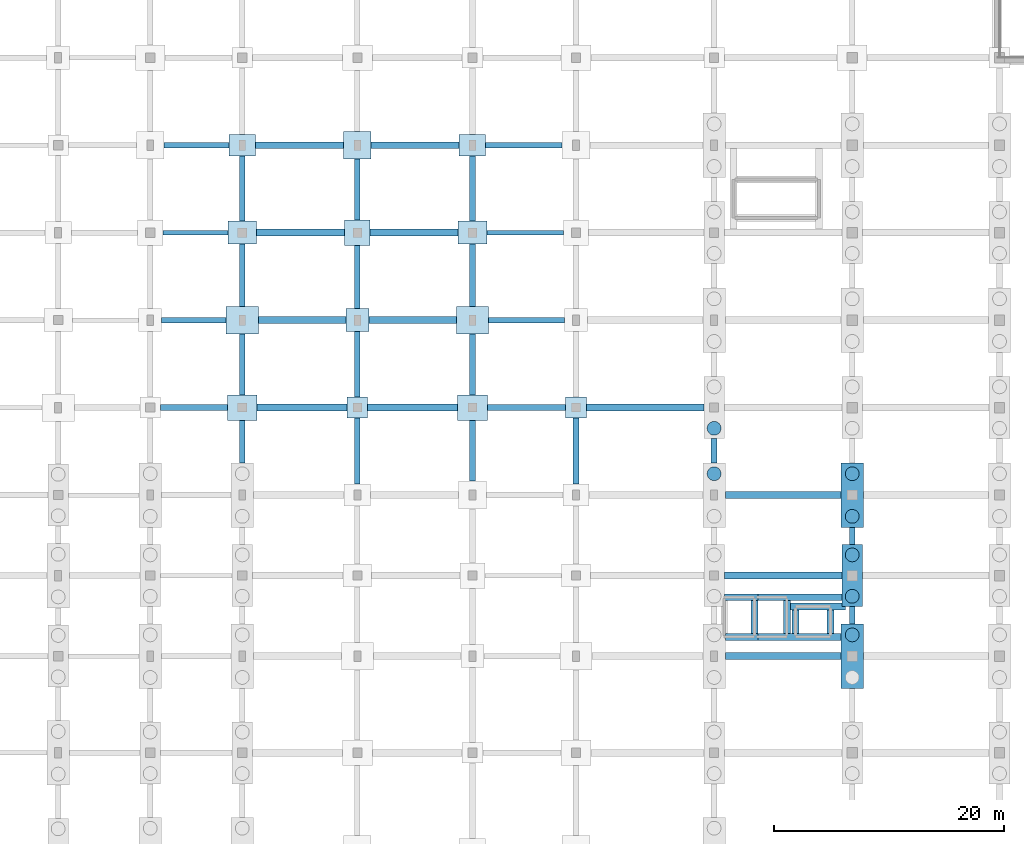
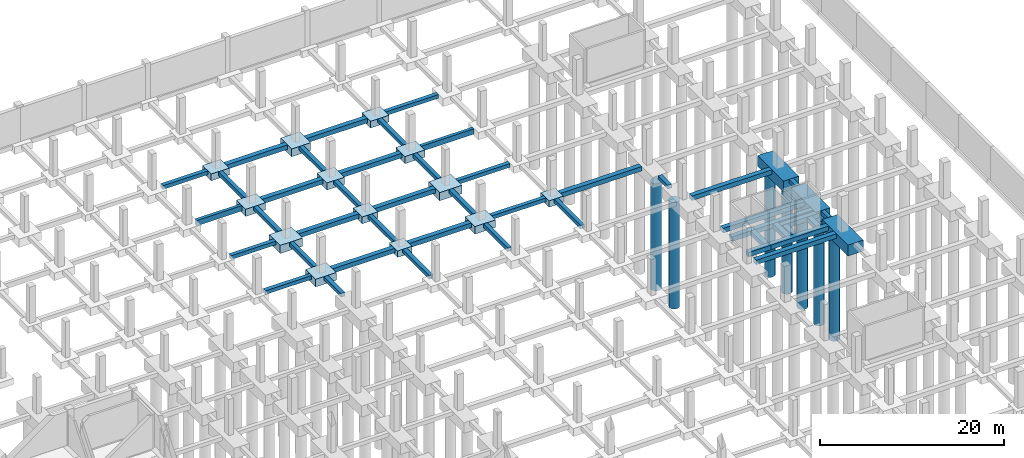
# One storey, part 22 of 50: 61 footings, 7 piles.
"""IFC4 building model written with IfcOpenShell, lengths in metres."""

from ifc_helpers import new_model, si_unit, direction, frame, origin, origin_2d, place, context, subcontext, project, spatial, polyline, rectangle, circle, outline, extrude, material, material_profile, profile_set, type_object, element, save


model = new_model("IFC4")

# Units and contexts
model_context = context("Model", 3, precision=1e-05, world=origin(), true_north=direction((0.0, 1.0)))
body_context = subcontext(model_context, "Body", "Model", "MODEL_VIEW")
ifc_project = project(units=[si_unit("LENGTHUNIT", "METRE"), si_unit("AREAUNIT", "SQUARE_METRE"), si_unit("VOLUMEUNIT", "CUBIC_METRE"), si_unit("PLANEANGLEUNIT", "RADIAN"), si_unit("MASSUNIT", "GRAM", prefix="KILO")], contexts=[model_context])

# Site, building, storey
site_placement = place(None, origin())
site = spatial("IfcSite", under=ifc_project, at=site_placement, CompositionType="ELEMENT")
building_placement = place(site_placement, origin())
building = spatial("IfcBuilding", under=site, at=building_placement, Name="Vekula Escarpment Museum", CompositionType="ELEMENT")
storey_placement = place(building_placement, frame((0.0, 0.0, -4.800048828125)))
storey = spatial("IfcBuildingStorey", under=building, at=storey_placement, Name="B1", CompositionType="ELEMENT", Elevation=-4.800048828125)

# Footings
ifc_material_1 = material(Name="Concrete C35/45", Category="concrete")
footing_type_1 = type_object("IfcFootingType", Name="FB-STRIP-600", PredefinedType="STRIP_FOOTING", material=ifc_material_1)
footing_1_placement = place(storey_placement, frame((0.0, 0.0, -0.599853515625)))
element("IfcFooting", 1, at=footing_1_placement, inside=storey, type_object=footing_type_1, Name="Lift Shaft Strip Footing LF-01 S", PredefinedType="STRIP_FOOTING", context=body_context, shape_type="SweptSolid", body=[
    extrude(outline(polyline([(170.820068359375, 78.3798828125), (170.820068359375, 77.780029296875), (167.97900390625, 77.780029296875), (167.97900390625, 78.3798828125), (170.820068359375, 78.3798828125)])), origin(), (0.0, 0.0, 1.0), 0.599853515625),
])
footing_2_placement = place(storey_placement, frame((0.0, 0.0, -0.599853515625)))
element("IfcFooting", 2, at=footing_2_placement, inside=storey, type_object=footing_type_1, Name="Lift Shaft Strip Footing LF-01 N", PredefinedType="STRIP_FOOTING", context=body_context, shape_type="SweptSolid", body=[
    extrude(outline(polyline([(170.820068359375, 81.820068359375), (170.820068359375, 81.219970703125), (167.904052734375, 81.219970703125), (167.904052734375, 81.820068359375), (170.820068359375, 81.820068359375)])), origin(), (0.0, 0.0, 1.0), 0.599853515625),
])
footing_3_placement = place(storey_placement, frame((0.0, 0.0, -0.599853515625)))
element("IfcFooting", 3, at=footing_3_placement, inside=storey, type_object=footing_type_1, Name="Lift Shaft Strip Footing LF-01 E", PredefinedType="STRIP_FOOTING", context=body_context, shape_type="SweptSolid", body=[
    extrude(outline(polyline([(170.820068359375, 78.384033203125), (170.219970703125, 78.384033203125), (170.219970703125, 81.216064453125), (170.820068359375, 81.216064453125), (170.820068359375, 78.384033203125)])), origin(), (0.0, 0.0, 1.0), 0.599853515625),
])
footing_4_placement = place(storey_placement, frame((0.0, 0.0, -0.599853515625)))
element("IfcFooting", 4, at=footing_4_placement, inside=storey, type_object=footing_type_1, Name="Lift Shaft Strip Footing LF-02 S", PredefinedType="STRIP_FOOTING", context=body_context, shape_type="SweptSolid", body=[
    extrude(outline(polyline([(170.823974609375, 77.780029296875), (170.823974609375, 78.3798828125), (178.02099609375, 78.3798828125), (178.02099609375, 77.780029296875), (170.823974609375, 77.780029296875)])), origin(), (0.0, 0.0, 1.0), 0.599853515625),
])
footing_5_placement = place(storey_placement, frame((0.0, 0.0, -0.599853515625)))
element("IfcFooting", 5, at=footing_5_placement, inside=storey, type_object=footing_type_1, Name="Lift Shaft Strip Footing LF-02 N", PredefinedType="STRIP_FOOTING", context=body_context, shape_type="SweptSolid", body=[
    extrude(outline(polyline([(170.823974609375, 81.219970703125), (170.823974609375, 81.820068359375), (178.095947265625, 81.820068359375), (178.095947265625, 81.219970703125), (170.823974609375, 81.219970703125)])), origin(), (0.0, 0.0, 1.0), 0.599853515625),
])
footing_6_placement = place(storey_placement, frame((0.0, 0.0, -0.599853515625)))
element("IfcFooting", 6, at=footing_6_placement, inside=storey, type_object=footing_type_1, Name="Lift Shaft Strip Footing LF-02 E", PredefinedType="STRIP_FOOTING", context=body_context, shape_type="SweptSolid", body=[
    extrude(outline(polyline([(173.6201171875, 78.384033203125), (173.02001953125, 78.384033203125), (173.02001953125, 81.216064453125), (173.6201171875, 81.216064453125), (173.6201171875, 78.384033203125)])), origin(), (0.0, 0.0, 1.0), 0.599853515625),
])
footing_7_placement = place(storey_placement, frame((0.0, 0.0, -0.599853515625)))
element("IfcFooting", 7, at=footing_7_placement, inside=storey, type_object=footing_type_1, Name="Lift Shaft Strip Footing LP-03 N", PredefinedType="STRIP_FOOTING", context=body_context, shape_type="SweptSolid", body=[
    extrude(outline(polyline([(178.416015625, 80.419921875), (173.6240234375, 80.419921875), (173.6240234375, 81.02001953125), (178.095947265625, 81.02001953125), (178.095947265625, 80.696044921875), (178.416015625, 80.696044921875), (178.416015625, 80.419921875)])), origin(), (0.0, 0.0, 1.0), 0.599853515625),
])
footing_8_placement = place(storey_placement, frame((0.0, 0.0, -0.599853515625)))
element("IfcFooting", 8, at=footing_8_placement, inside=storey, type_object=footing_type_1, Name="Lift Shaft Strip Footing LP-03 W", PredefinedType="STRIP_FOOTING", context=body_context, shape_type="SweptSolid", body=[
    extrude(outline(polyline([(174.3798828125, 78.384033203125), (173.780029296875, 78.384033203125), (173.780029296875, 80.416015625), (174.3798828125, 80.416015625), (174.3798828125, 78.384033203125)])), origin(), (0.0, 0.0, 1.0), 0.599853515625),
])
footing_9_placement = place(storey_placement, frame((0.0, 0.0, -0.599853515625)))
element("IfcFooting", 9, at=footing_9_placement, inside=storey, type_object=footing_type_1, Name="Lift Shaft Strip Footing LP-03 E", PredefinedType="STRIP_FOOTING", context=body_context, shape_type="SweptSolid", body=[
    extrude(outline(polyline([(177.419921875, 78.384033203125), (176.820068359375, 78.384033203125), (176.820068359375, 80.416015625), (177.419921875, 80.416015625), (177.419921875, 78.384033203125)])), origin(), (0.0, 0.0, 1.0), 0.599853515625),
])
ifc_material_2 = material(Name="Concrete C35/45", Category="concrete")
ifc_material_profile_1 = material_profile(ifc_material_2, rectangle(XDim=0.39990234375, YDim=0.699951171875, at=origin_2d()), Name="RC 400x700")
ifc_profile_set_1 = profile_set([ifc_material_profile_1], Name="Concrete C35/45")
footing_type_2 = type_object("IfcFootingType", Name="FB-TIE-400x700", PredefinedType="FOOTING_BEAM", material=ifc_profile_set_1)
footing_10_placement = place(storey_placement, frame((119.10009765625, 113.199951171875, -0.349853515625), z_axis=(1.0, 0.0, 0.0), x_axis=(0.0, 1.0, 0.0)))
element("IfcFooting", 10, at=footing_10_placement, inside=storey, type_object=footing_type_2, Name="Foundation Tie Beam 327", PredefinedType="FOOTING_BEAM", context=body_context, shape_type="SweptSolid", body=[
    extrude(rectangle(XDim=0.39990234375, YDim=0.699951171875, at=origin_2d()), origin(), (0.0, 0.0, 1.0), 5.64990234375),
])
footing_11_placement = place(storey_placement, frame((147.25, 113.199951171875, -0.349853515625), z_axis=(1.0, 0.0, 0.0), x_axis=(0.0, 1.0, 0.0)))
element("IfcFooting", 11, at=footing_11_placement, inside=storey, type_object=footing_type_2, Name="Foundation Tie Beam 330", PredefinedType="FOOTING_BEAM", context=body_context, shape_type="SweptSolid", body=[
    extrude(rectangle(XDim=0.39990234375, YDim=0.699951171875, at=origin_2d()), origin(), (0.0, 0.0, 1.0), 6.64990234375),
])
ifc_material_3 = material(Name="Concrete C35/45", Category="concrete")
ifc_material_profile_2 = material_profile(ifc_material_3, rectangle(XDim=0.5, YDim=0.5, at=origin_2d()), Name="RC 500x500")
ifc_profile_set_2 = profile_set([ifc_material_profile_2], Name="Concrete C35/45")
footing_type_3 = type_object("IfcFootingType", Name="FB-TIE-500x500", PredefinedType="FOOTING_BEAM", material=ifc_profile_set_2)
footing_12_placement = place(storey_placement, frame((118.89990234375, 98.0, -0.25), z_axis=(1.0, 0.0, 0.0), x_axis=(0.0, 1.0, 0.0)))
element("IfcFooting", 12, at=footing_12_placement, inside=storey, type_object=footing_type_3, Name="Foundation Tie Beam 284", PredefinedType="FOOTING_BEAM", context=body_context, shape_type="SweptSolid", body=[
    extrude(rectangle(XDim=0.5, YDim=0.5, at=origin_2d()), origin(), (0.0, 0.0, 1.0), 5.800048828125),
])
footing_13_placement = place(storey_placement, frame((147.300048828125, 98.0, -0.25), z_axis=(1.0, 0.0, 0.0), x_axis=(0.0, 1.0, 0.0)))
element("IfcFooting", 13, at=footing_13_placement, inside=storey, type_object=footing_type_3, Name="Foundation Tie Beam 287", PredefinedType="FOOTING_BEAM", context=body_context, shape_type="SweptSolid", body=[
    extrude(rectangle(XDim=0.5, YDim=0.5, at=origin_2d()), origin(), (0.0, 0.0, 1.0), 6.800048828125),
])
footing_14_placement = place(storey_placement, frame((119.0, 105.60009765625, -0.25), z_axis=(1.0, 0.0, 0.0), x_axis=(0.0, 1.0, 0.0)))
element("IfcFooting", 14, at=footing_14_placement, inside=storey, type_object=footing_type_3, Name="Foundation Tie Beam 304", PredefinedType="FOOTING_BEAM", context=body_context, shape_type="SweptSolid", body=[
    extrude(rectangle(XDim=0.5, YDim=0.5, at=origin_2d()), origin(), (0.0, 0.0, 1.0), 5.60009765625),
])
footing_15_placement = place(storey_placement, frame((147.39990234375, 105.60009765625, -0.25), z_axis=(1.0, 0.0, 0.0), x_axis=(0.0, 1.0, 0.0)))
element("IfcFooting", 15, at=footing_15_placement, inside=storey, type_object=footing_type_3, Name="Foundation Tie Beam 307", PredefinedType="FOOTING_BEAM", context=body_context, shape_type="SweptSolid", body=[
    extrude(rectangle(XDim=0.5, YDim=0.5, at=origin_2d()), origin(), (0.0, 0.0, 1.0), 6.60009765625),
])
footing_16_placement = place(storey_placement, frame((119.199951171875, 120.800048828125, -0.25), z_axis=(1.0, 0.0, 0.0), x_axis=(0.0, 1.0, 0.0)))
element("IfcFooting", 16, at=footing_16_placement, inside=storey, type_object=footing_type_3, Name="Foundation Tie Beam 350", PredefinedType="FOOTING_BEAM", context=body_context, shape_type="SweptSolid", body=[
    extrude(rectangle(XDim=0.5, YDim=0.5, at=origin_2d()), origin(), (0.0, 0.0, 1.0), 5.650146484375),
])
footing_17_placement = place(storey_placement, frame((147.14990234375, 120.800048828125, -0.25), z_axis=(1.0, 0.0, 0.0), x_axis=(0.0, 1.0, 0.0)))
element("IfcFooting", 17, at=footing_17_placement, inside=storey, type_object=footing_type_3, Name="Foundation Tie Beam 353", PredefinedType="FOOTING_BEAM", context=body_context, shape_type="SweptSolid", body=[
    extrude(rectangle(XDim=0.5, YDim=0.5, at=origin_2d()), origin(), (0.0, 0.0, 1.0), 6.650146484375),
])
footing_18_placement = place(storey_placement, frame((126.0, 93.199951171875, -0.25), z_axis=(0.0, 1.0, 0.0), x_axis=(-1.0, 0.0, 0.0)))
element("IfcFooting", 18, at=footing_18_placement, inside=storey, type_object=footing_type_3, Name="Foundation Tie Beam 676", PredefinedType="FOOTING_BEAM", context=body_context, shape_type="SweptSolid", body=[
    extrude(rectangle(XDim=0.5, YDim=0.5, at=origin_2d()), origin(), (0.0, 0.0, 1.0), 3.699951171875),
])
footing_19_placement = place(storey_placement, frame((126.0, 99.10009765625, -0.25), z_axis=(0.0, 1.0, 0.0), x_axis=(-1.0, 0.0, 0.0)))
element("IfcFooting", 19, at=footing_19_placement, inside=storey, type_object=footing_type_3, Name="Foundation Tie Beam 677", PredefinedType="FOOTING_BEAM", context=body_context, shape_type="SweptSolid", body=[
    extrude(rectangle(XDim=0.5, YDim=0.5, at=origin_2d()), origin(), (0.0, 0.0, 1.0), 5.2998046875),
])
footing_20_placement = place(storey_placement, frame((126.0, 106.800048828125, -0.25), z_axis=(0.0, 1.0, 0.0), x_axis=(-1.0, 0.0, 0.0)))
element("IfcFooting", 20, at=footing_20_placement, inside=storey, type_object=footing_type_3, Name="Foundation Tie Beam 678", PredefinedType="FOOTING_BEAM", context=body_context, shape_type="SweptSolid", body=[
    extrude(rectangle(XDim=0.5, YDim=0.5, at=origin_2d()), origin(), (0.0, 0.0, 1.0), 5.39990234375),
])
footing_21_placement = place(storey_placement, frame((126.0, 114.199951171875, -0.25), z_axis=(0.0, 1.0, 0.0), x_axis=(-1.0, 0.0, 0.0)))
element("IfcFooting", 21, at=footing_21_placement, inside=storey, type_object=footing_type_3, Name="Foundation Tie Beam 679", PredefinedType="FOOTING_BEAM", context=body_context, shape_type="SweptSolid", body=[
    extrude(rectangle(XDim=0.5, YDim=0.5, at=origin_2d()), origin(), (0.0, 0.0, 1.0), 5.650146484375),
])
footing_22_placement = place(storey_placement, frame((136.0, 91.35009765625, -0.25), z_axis=(0.0, 1.0, 0.0), x_axis=(-1.0, 0.0, 0.0)))
element("IfcFooting", 22, at=footing_22_placement, inside=storey, type_object=footing_type_3, Name="Foundation Tie Beam 695", PredefinedType="FOOTING_BEAM", context=body_context, shape_type="SweptSolid", body=[
    extrude(rectangle(XDim=0.5, YDim=0.5, at=origin_2d()), origin(), (0.0, 0.0, 1.0), 5.75),
])
footing_23_placement = place(storey_placement, frame((136.0, 98.89990234375, -0.25), z_axis=(0.0, 1.0, 0.0), x_axis=(-1.0, 0.0, 0.0)))
element("IfcFooting", 23, at=footing_23_placement, inside=storey, type_object=footing_type_3, Name="Foundation Tie Beam 696", PredefinedType="FOOTING_BEAM", context=body_context, shape_type="SweptSolid", body=[
    extrude(rectangle(XDim=0.5, YDim=0.5, at=origin_2d()), origin(), (0.0, 0.0, 1.0), 5.7001953125),
])
footing_24_placement = place(storey_placement, frame((136.0, 106.60009765625, -0.25), z_axis=(0.0, 1.0, 0.0), x_axis=(-1.0, 0.0, 0.0)))
element("IfcFooting", 24, at=footing_24_placement, inside=storey, type_object=footing_type_3, Name="Foundation Tie Beam 697", PredefinedType="FOOTING_BEAM", context=body_context, shape_type="SweptSolid", body=[
    extrude(rectangle(XDim=0.5, YDim=0.5, at=origin_2d()), origin(), (0.0, 0.0, 1.0), 5.5),
])
footing_25_placement = place(storey_placement, frame((136.0, 114.300048828125, -0.25), z_axis=(0.0, 1.0, 0.0), x_axis=(-1.0, 0.0, 0.0)))
element("IfcFooting", 25, at=footing_25_placement, inside=storey, type_object=footing_type_3, Name="Foundation Tie Beam 698", PredefinedType="FOOTING_BEAM", context=body_context, shape_type="SweptSolid", body=[
    extrude(rectangle(XDim=0.5, YDim=0.5, at=origin_2d()), origin(), (0.0, 0.0, 1.0), 5.300048828125),
])
for number, where, z_axis, x_axis, name in (
    (26, (146.0, 91.60009765625, -0.25), (0.0, 1.0, 0.0), (-1.0, 0.0, 0.0), "Foundation Tie Beam 714"),
    (27, (146.0, 99.10009765625, -0.25), (0.0, 1.0, 0.0), (-1.0, 0.0, 0.0), "Foundation Tie Beam 715"),
):
    element("IfcFooting", number, at=place(storey_placement, frame(where, z_axis=z_axis, x_axis=x_axis)), inside=storey, type_object=footing_type_3, Name=name, PredefinedType="FOOTING_BEAM", context=body_context, shape_type="SweptSolid", body=[
        extrude(rectangle(XDim=0.5, YDim=0.5, at=origin_2d()), origin(), (0.0, 0.0, 1.0), 5.2998046875),
    ])
footing_26_placement = place(storey_placement, frame((146.0, 106.800048828125, -0.25), z_axis=(0.0, 1.0, 0.0), x_axis=(-1.0, 0.0, 0.0)))
element("IfcFooting", 28, at=footing_26_placement, inside=storey, type_object=footing_type_3, Name="Foundation Tie Beam 716", PredefinedType="FOOTING_BEAM", context=body_context, shape_type="SweptSolid", body=[
    extrude(rectangle(XDim=0.5, YDim=0.5, at=origin_2d()), origin(), (0.0, 0.0, 1.0), 5.39990234375),
])
footing_27_placement = place(storey_placement, frame((146.0, 114.199951171875, -0.25), z_axis=(0.0, 1.0, 0.0), x_axis=(-1.0, 0.0, 0.0)))
element("IfcFooting", 29, at=footing_27_placement, inside=storey, type_object=footing_type_3, Name="Foundation Tie Beam 717", PredefinedType="FOOTING_BEAM", context=body_context, shape_type="SweptSolid", body=[
    extrude(rectangle(XDim=0.5, YDim=0.5, at=origin_2d()), origin(), (0.0, 0.0, 1.0), 5.650146484375),
])
footing_28_placement = place(storey_placement, frame((155.0, 91.35009765625, -0.25), z_axis=(0.0, 1.0, 0.0), x_axis=(-1.0, 0.0, 0.0)))
element("IfcFooting", 30, at=footing_28_placement, inside=storey, type_object=footing_type_3, Name="Foundation Tie Beam 733", PredefinedType="FOOTING_BEAM", context=body_context, shape_type="SweptSolid", body=[
    extrude(rectangle(XDim=0.5, YDim=0.5, at=origin_2d()), origin(), (0.0, 0.0, 1.0), 5.75),
])
footing_29_placement = place(storey_placement, frame((167.0, 93.199951171875, -0.25), z_axis=(0.0, 1.0, 0.0), x_axis=(-1.0, 0.0, 0.0)))
element("IfcFooting", 31, at=footing_29_placement, inside=storey, type_object=footing_type_3, Name="Foundation Tie Beam 752", PredefinedType="FOOTING_BEAM", context=body_context, shape_type="SweptSolid", body=[
    extrude(rectangle(XDim=0.5, YDim=0.5, at=origin_2d()), origin(), (0.0, 0.0, 1.0), 2.10009765625),
])
for number, where, z_axis, x_axis, name in (
    (32, (179.0, 79.199951171875, -0.25), (0.0, 1.0, 0.0), (-1.0, 0.0, 0.0), "Foundation Tie Beam 769"),
    (33, (179.0, 86.10009765625, -0.25), (0.0, 1.0, 0.0), (-1.0, 0.0, 0.0), "Foundation Tie Beam 770"),
):
    element("IfcFooting", number, at=place(storey_placement, frame(where, z_axis=z_axis, x_axis=x_axis)), inside=storey, type_object=footing_type_3, Name=name, PredefinedType="FOOTING_BEAM", context=body_context, shape_type="SweptSolid", body=[
        extrude(rectangle(XDim=0.5, YDim=0.5, at=origin_2d()), origin(), (0.0, 0.0, 1.0), 1.5),
    ])
ifc_material_4 = material(Name="Concrete C35/45", Category="concrete")
ifc_material_profile_3 = material_profile(ifc_material_4, rectangle(XDim=0.60009765625, YDim=0.60009765625, at=origin_2d()), Name="RC 600x600")
ifc_profile_set_3 = profile_set([ifc_material_profile_3], Name="Concrete C35/45")
footing_type_4 = type_object("IfcFootingType", Name="FB-TIE-600x600", PredefinedType="FOOTING_BEAM", material=ifc_profile_set_3)
footing_30_placement = place(storey_placement, frame((167.97509765625, 76.39990234375, -0.300048828125), z_axis=(1.0, 0.0, 0.0), x_axis=(0.0, 1.0, 0.0)))
element("IfcFooting", 34, at=footing_30_placement, inside=storey, type_object=footing_type_4, Name="Foundation Tie Beam 231", PredefinedType="FOOTING_BEAM", context=body_context, shape_type="SweptSolid", body=[
    extrude(rectangle(XDim=0.60009765625, YDim=0.60009765625, at=origin_2d()), origin(), (0.0, 0.0, 1.0), 10.0498046875),
])
footing_31_placement = place(storey_placement, frame((167.89990234375, 83.39990234375, -0.300048828125), z_axis=(1.0, 0.0, 0.0), x_axis=(0.0, 1.0, 0.0)))
element("IfcFooting", 35, at=footing_31_placement, inside=storey, type_object=footing_type_4, Name="Foundation Tie Beam 254", PredefinedType="FOOTING_BEAM", context=body_context, shape_type="SweptSolid", body=[
    extrude(rectangle(XDim=0.60009765625, YDim=0.60009765625, at=origin_2d()), origin(), (0.0, 0.0, 1.0), 10.2001953125),
])
footing_32_placement = place(storey_placement, frame((167.97509765625, 90.39990234375, -0.300048828125), z_axis=(1.0, 0.0, 0.0), x_axis=(0.0, 1.0, 0.0)))
element("IfcFooting", 36, at=footing_32_placement, inside=storey, type_object=footing_type_4, Name="Foundation Tie Beam 273", PredefinedType="FOOTING_BEAM", context=body_context, shape_type="SweptSolid", body=[
    extrude(rectangle(XDim=0.60009765625, YDim=0.60009765625, at=origin_2d()), origin(), (0.0, 0.0, 1.0), 10.0498046875),
])
for number, where, z_axis, x_axis, name in (
    (37, (127.300048828125, 98.0, -0.300048828125), (1.0, 0.0, 0.0), (0.0, 1.0, 0.0), "Foundation Tie Beam 285"),
    (38, (136.89990234375, 98.0, -0.300048828125), (1.0, 0.0, 0.0), (0.0, 1.0, 0.0), "Foundation Tie Beam 286"),
):
    element("IfcFooting", number, at=place(storey_placement, frame(where, z_axis=z_axis, x_axis=x_axis)), inside=storey, type_object=footing_type_4, Name=name, PredefinedType="FOOTING_BEAM", context=body_context, shape_type="SweptSolid", body=[
        extrude(rectangle(XDim=0.60009765625, YDim=0.60009765625, at=origin_2d()), origin(), (0.0, 0.0, 1.0), 7.800048828125),
    ])
footing_33_placement = place(storey_placement, frame((155.89990234375, 98.0, -0.300048828125), z_axis=(1.0, 0.0, 0.0), x_axis=(0.0, 1.0, 0.0)))
element("IfcFooting", 39, at=footing_33_placement, inside=storey, type_object=footing_type_4, Name="Foundation Tie Beam 288", PredefinedType="FOOTING_BEAM", context=body_context, shape_type="SweptSolid", body=[
    extrude(rectangle(XDim=0.60009765625, YDim=0.60009765625, at=origin_2d()), origin(), (0.0, 0.0, 1.0), 10.2001953125),
])
for number, where, z_axis, x_axis, name in (
    (40, (127.39990234375, 105.60009765625, -0.300048828125), (1.0, 0.0, 0.0), (0.0, 1.0, 0.0), "Foundation Tie Beam 305"),
    (41, (137.0, 105.60009765625, -0.300048828125), (1.0, 0.0, 0.0), (0.0, 1.0, 0.0), "Foundation Tie Beam 306"),
):
    element("IfcFooting", number, at=place(storey_placement, frame(where, z_axis=z_axis, x_axis=x_axis)), inside=storey, type_object=footing_type_4, Name=name, PredefinedType="FOOTING_BEAM", context=body_context, shape_type="SweptSolid", body=[
        extrude(rectangle(XDim=0.60009765625, YDim=0.60009765625, at=origin_2d()), origin(), (0.0, 0.0, 1.0), 7.60009765625),
    ])
for number, where, z_axis, x_axis, name in (
    (42, (127.25, 113.199951171875, -0.300048828125), (1.0, 0.0, 0.0), (0.0, 1.0, 0.0), "Foundation Tie Beam 328"),
    (43, (137.10009765625, 113.199951171875, -0.300048828125), (1.0, 0.0, 0.0), (0.0, 1.0, 0.0), "Foundation Tie Beam 329"),
):
    element("IfcFooting", number, at=place(storey_placement, frame(where, z_axis=z_axis, x_axis=x_axis)), inside=storey, type_object=footing_type_4, Name=name, PredefinedType="FOOTING_BEAM", context=body_context, shape_type="SweptSolid", body=[
        extrude(rectangle(XDim=0.60009765625, YDim=0.60009765625, at=origin_2d()), origin(), (0.0, 0.0, 1.0), 7.64990234375),
    ])
for number, where, z_axis, x_axis, name in (
    (44, (127.14990234375, 120.800048828125, -0.300048828125), (1.0, 0.0, 0.0), (0.0, 1.0, 0.0), "Foundation Tie Beam 351"),
    (45, (137.199951171875, 120.800048828125, -0.300048828125), (1.0, 0.0, 0.0), (0.0, 1.0, 0.0), "Foundation Tie Beam 352"),
):
    element("IfcFooting", number, at=place(storey_placement, frame(where, z_axis=z_axis, x_axis=x_axis)), inside=storey, type_object=footing_type_4, Name=name, PredefinedType="FOOTING_BEAM", context=body_context, shape_type="SweptSolid", body=[
        extrude(rectangle(XDim=0.60009765625, YDim=0.60009765625, at=origin_2d()), origin(), (0.0, 0.0, 1.0), 7.650146484375),
    ])
ifc_material_5 = material(Name="Concrete C35/45", Category="concrete")
footing_type_5 = type_object("IfcFootingType", Name="FC-PAD1", PredefinedType="PAD_FOOTING", material=ifc_material_5)
footing_34_placement = place(storey_placement, frame((0.0, 0.0, -0.849853515625)))
element("IfcFooting", 46, at=footing_34_placement, inside=storey, type_object=footing_type_5, Name="Foundation FC-PAD1 (136.0,98.0)", PredefinedType="PAD_FOOTING", context=body_context, shape_type="SweptSolid", body=[
    extrude(outline(polyline([(135.10009765625, 97.10009765625), (136.89990234375, 97.10009765625), (136.89990234375, 98.89990234375), (135.10009765625, 98.89990234375), (135.10009765625, 97.10009765625)])), origin(), (0.0, 0.0, 1.0), 0.849853515625),
])
footing_35_placement = place(storey_placement, frame((0.0, 0.0, -0.849853515625)))
element("IfcFooting", 47, at=footing_35_placement, inside=storey, type_object=footing_type_5, Name="Foundation FC-PAD1 (155.0,98.0)", PredefinedType="PAD_FOOTING", context=body_context, shape_type="SweptSolid", body=[
    extrude(outline(polyline([(154.10009765625, 97.10009765625), (155.89990234375, 97.10009765625), (155.89990234375, 98.89990234375), (154.10009765625, 98.89990234375), (154.10009765625, 97.10009765625)])), origin(), (0.0, 0.0, 1.0), 0.849853515625),
])
ifc_material_6 = material(Name="Concrete C35/45", Category="concrete")
footing_type_6 = type_object("IfcFootingType", Name="FC-PAD2", PredefinedType="PAD_FOOTING", material=ifc_material_6)
footing_36_placement = place(storey_placement, frame((0.0, 0.0, -0.89990234375)))
element("IfcFooting", 48, at=footing_36_placement, inside=storey, type_object=footing_type_6, Name="Foundation FC-PAD2 (136.0,105.6)", PredefinedType="PAD_FOOTING", context=body_context, shape_type="SweptSolid", body=[
    extrude(outline(polyline([(135.0, 104.60009765625), (137.0, 104.60009765625), (137.0, 106.60009765625), (135.0, 106.60009765625), (135.0, 104.60009765625)])), origin(), (0.0, 0.0, 1.0), 0.89990234375),
])
ifc_material_7 = material(Name="Concrete C35/45", Category="concrete")
footing_type_7 = type_object("IfcFootingType", Name="FC-PAD3", PredefinedType="PAD_FOOTING", material=ifc_material_7)
footing_37_placement = place(storey_placement, frame((0.0, 0.0, -0.949951171875)))
element("IfcFooting", 49, at=footing_37_placement, inside=storey, type_object=footing_type_7, Name="Foundation FC-PAD3 (136.0,113.2)", PredefinedType="PAD_FOOTING", context=body_context, shape_type="SweptSolid", body=[
    extrude(outline(polyline([(134.89990234375, 112.10009765625), (137.10009765625, 112.10009765625), (137.10009765625, 114.300048828125), (134.89990234375, 114.300048828125), (134.89990234375, 112.10009765625)])), origin(), (0.0, 0.0, 1.0), 0.949951171875),
])
ifc_material_8 = material(Name="Concrete C35/45", Category="concrete")
footing_type_8 = type_object("IfcFootingType", Name="FC-PAD4", PredefinedType="PAD_FOOTING", material=ifc_material_8)
footing_38_placement = place(storey_placement, frame((0.0, 0.0, -1.050048828125)))
element("IfcFooting", 50, at=footing_38_placement, inside=storey, type_object=footing_type_8, Name="Foundation FC-PAD4 (136.0,120.8)", PredefinedType="PAD_FOOTING", context=body_context, shape_type="SweptSolid", body=[
    extrude(outline(polyline([(134.800048828125, 119.60009765625), (137.199951171875, 119.60009765625), (137.199951171875, 122.0), (134.800048828125, 122.0), (134.800048828125, 119.60009765625)])), origin(), (0.0, 0.0, 1.0), 1.050048828125),
])
ifc_material_9 = material(Name="Concrete C35/45", Category="concrete")
footing_type_9 = type_object("IfcFootingType", Name="FC-PAD5", PredefinedType="PAD_FOOTING", material=ifc_material_9)
footing_39_placement = place(storey_placement, frame((0.0, 0.0, -1.0)))
element("IfcFooting", 51, at=footing_39_placement, inside=storey, type_object=footing_type_9, Name="Foundation FC-PAD5 (126.0,98.0)", PredefinedType="PAD_FOOTING", context=body_context, shape_type="SweptSolid", body=[
    extrude(outline(polyline([(124.699951171875, 96.89990234375), (127.300048828125, 96.89990234375), (127.300048828125, 99.10009765625), (124.699951171875, 99.10009765625), (124.699951171875, 96.89990234375)])), origin(), (0.0, 0.0, 1.0), 1.0),
])
footing_40_placement = place(storey_placement, frame((0.0, 0.0, -1.0)))
element("IfcFooting", 52, at=footing_40_placement, inside=storey, type_object=footing_type_9, Name="Foundation FC-PAD5 (146.0,98.0)", PredefinedType="PAD_FOOTING", context=body_context, shape_type="SweptSolid", body=[
    extrude(outline(polyline([(144.699951171875, 96.89990234375), (147.300048828125, 96.89990234375), (147.300048828125, 99.10009765625), (144.699951171875, 99.10009765625), (144.699951171875, 96.89990234375)])), origin(), (0.0, 0.0, 1.0), 1.0),
])
ifc_material_10 = material(Name="Concrete C35/45", Category="concrete")
footing_type_10 = type_object("IfcFootingType", Name="FC-PAD6", PredefinedType="PAD_FOOTING", material=ifc_material_10)
footing_41_placement = place(storey_placement, frame((0.0, 0.0, -1.099853515625)))
element("IfcFooting", 53, at=footing_41_placement, inside=storey, type_object=footing_type_10, Name="Foundation FC-PAD6 (126.0,105.6)", PredefinedType="PAD_FOOTING", context=body_context, shape_type="SweptSolid", body=[
    extrude(outline(polyline([(124.60009765625, 104.39990234375), (127.39990234375, 104.39990234375), (127.39990234375, 106.800048828125), (124.60009765625, 106.800048828125), (124.60009765625, 104.39990234375)])), origin(), (0.0, 0.0, 1.0), 1.099853515625),
])
footing_42_placement = place(storey_placement, frame((0.0, 0.0, -1.099853515625)))
element("IfcFooting", 54, at=footing_42_placement, inside=storey, type_object=footing_type_10, Name="Foundation FC-PAD6 (146.0,105.6)", PredefinedType="PAD_FOOTING", context=body_context, shape_type="SweptSolid", body=[
    extrude(outline(polyline([(144.60009765625, 104.39990234375), (147.39990234375, 104.39990234375), (147.39990234375, 106.800048828125), (144.60009765625, 106.800048828125), (144.60009765625, 104.39990234375)])), origin(), (0.0, 0.0, 1.0), 1.099853515625),
])
ifc_material_11 = material(Name="Concrete C35/45", Category="concrete")
footing_type_11 = type_object("IfcFootingType", Name="FC-PAD7", PredefinedType="PAD_FOOTING", material=ifc_material_11)
footing_43_placement = place(storey_placement, frame((0.0, 0.0, -0.949951171875)))
element("IfcFooting", 55, at=footing_43_placement, inside=storey, type_object=footing_type_11, Name="Foundation FC-PAD7 (126.0,113.2)", PredefinedType="PAD_FOOTING", context=body_context, shape_type="SweptSolid", body=[
    extrude(outline(polyline([(124.75, 112.199951171875), (127.25, 112.199951171875), (127.25, 114.199951171875), (124.75, 114.199951171875), (124.75, 112.199951171875)])), origin(), (0.0, 0.0, 1.0), 0.949951171875),
])
footing_44_placement = place(storey_placement, frame((0.0, 0.0, -0.949951171875)))
element("IfcFooting", 56, at=footing_44_placement, inside=storey, type_object=footing_type_11, Name="Foundation FC-PAD7 (146.0,113.2)", PredefinedType="PAD_FOOTING", context=body_context, shape_type="SweptSolid", body=[
    extrude(outline(polyline([(144.75, 112.199951171875), (147.25, 112.199951171875), (147.25, 114.199951171875), (144.75, 114.199951171875), (144.75, 112.199951171875)])), origin(), (0.0, 0.0, 1.0), 0.949951171875),
])
ifc_material_12 = material(Name="Concrete C35/45", Category="concrete")
footing_type_12 = type_object("IfcFootingType", Name="FC-PAD8", PredefinedType="PAD_FOOTING", material=ifc_material_12)
footing_45_placement = place(storey_placement, frame((0.0, 0.0, -0.89990234375)))
element("IfcFooting", 57, at=footing_45_placement, inside=storey, type_object=footing_type_12, Name="Foundation FC-PAD8 (126.0,120.8)", PredefinedType="PAD_FOOTING", context=body_context, shape_type="SweptSolid", body=[
    extrude(outline(polyline([(124.85009765625, 119.85009765625), (127.14990234375, 119.85009765625), (127.14990234375, 121.75), (124.85009765625, 121.75), (124.85009765625, 119.85009765625)])), origin(), (0.0, 0.0, 1.0), 0.89990234375),
])
footing_46_placement = place(storey_placement, frame((0.0, 0.0, -0.89990234375)))
element("IfcFooting", 58, at=footing_46_placement, inside=storey, type_object=footing_type_12, Name="Foundation FC-PAD8 (146.0,120.8)", PredefinedType="PAD_FOOTING", context=body_context, shape_type="SweptSolid", body=[
    extrude(outline(polyline([(144.85009765625, 119.85009765625), (147.14990234375, 119.85009765625), (147.14990234375, 121.75), (144.85009765625, 121.75), (144.85009765625, 119.85009765625)])), origin(), (0.0, 0.0, 1.0), 0.89990234375),
])
ifc_material_13 = material(Name="Concrete C35/45", Category="concrete")
footing_type_13 = type_object("IfcFootingType", Name="FC-PC2Y-HA", PredefinedType="PILE_CAP", material=ifc_material_13)
footing_47_placement = place(storey_placement, frame((0.0, 0.0, -1.39990234375)))
element("IfcFooting", 59, at=footing_47_placement, inside=storey, type_object=footing_type_13, Name="Foundation FC-PC2Y-HA (179.0,83.4)", PredefinedType="PILE_CAP", context=body_context, shape_type="SweptSolid", body=[
    extrude(outline(polyline([(178.10009765625, 80.699951171875), (179.89990234375, 80.699951171875), (179.89990234375, 86.10009765625), (178.10009765625, 86.10009765625), (178.10009765625, 80.699951171875)])), origin(), (0.0, 0.0, 1.0), 1.39990234375),
])
ifc_material_14 = material(Name="Concrete C35/45", Category="concrete")
footing_type_14 = type_object("IfcFootingType", Name="FC-PC2Y-HB", PredefinedType="PILE_CAP", material=ifc_material_14)
footing_48_placement = place(storey_placement, frame((0.0, 0.0, -1.449951171875)))
element("IfcFooting", 60, at=footing_48_placement, inside=storey, type_object=footing_type_14, Name="Foundation FC-PC2Y-HB (179.0,76.4)", PredefinedType="PILE_CAP", context=body_context, shape_type="SweptSolid", body=[
    extrude(outline(polyline([(178.02490234375, 73.60009765625), (179.97509765625, 73.60009765625), (179.97509765625, 79.199951171875), (178.02490234375, 79.199951171875), (178.02490234375, 73.60009765625)])), origin(), (0.0, 0.0, 1.0), 1.449951171875),
])
footing_49_placement = place(storey_placement, frame((0.0, 0.0, -1.449951171875)))
element("IfcFooting", 61, at=footing_49_placement, inside=storey, type_object=footing_type_14, Name="Foundation FC-PC2Y-HB (179.0,90.4)", PredefinedType="PILE_CAP", context=body_context, shape_type="SweptSolid", body=[
    extrude(outline(polyline([(178.02490234375, 87.60009765625), (179.97509765625, 87.60009765625), (179.97509765625, 93.199951171875), (178.02490234375, 93.199951171875), (178.02490234375, 87.60009765625)])), origin(), (0.0, 0.0, 1.0), 1.449951171875),
])

# Piles
ifc_material_15 = material(Name="Concrete C35/45", Category="concrete")
ifc_material_profile_4 = material_profile(ifc_material_15, circle(Radius=0.60009765625, at=origin_2d()), Name="BORED PILE 1200")
ifc_profile_set_4 = profile_set([ifc_material_profile_4], Name="Concrete C35/45")
pile_type = type_object("IfcPileType", Name="PILE-B1200", PredefinedType="BORED", material=ifc_profile_set_4)
pile_1_placement = place(storey_placement, frame((167.0, 92.25, -1.349853515625), z_axis=(0.0, 0.0, -1.0), x_axis=(1.0, 0.0, 0.0)))
element("IfcPile", 62, at=pile_1_placement, inside=storey, type_object=pile_type, Name="Bored Pile (167.0,92.2)", PredefinedType="BORED", context=body_context, shape_type="SweptSolid", body=[
    extrude(circle(Radius=0.60009765625, at=origin_2d()), origin(), (0.0, 0.0, 1.0), 14.14990234375),
])
pile_2_placement = place(storey_placement, frame((167.0, 96.199951171875, -1.300048828125), z_axis=(0.0, 0.0, -1.0), x_axis=(1.0, 0.0, 0.0)))
element("IfcPile", 63, at=pile_2_placement, inside=storey, type_object=pile_type, Name="Bored Pile (167.0,96.2)", PredefinedType="BORED", context=body_context, shape_type="SweptSolid", body=[
    extrude(circle(Radius=0.60009765625, at=origin_2d()), origin(), (0.0, 0.0, 1.0), 14.199951171875),
])
pile_3_placement = place(storey_placement, frame((179.0, 78.25, -1.349853515625), z_axis=(0.0, 0.0, -1.0), x_axis=(1.0, 0.0, 0.0)))
element("IfcPile", 64, at=pile_3_placement, inside=storey, type_object=pile_type, Name="Bored Pile (179.0,78.2)", PredefinedType="BORED", context=body_context, shape_type="SweptSolid", body=[
    extrude(circle(Radius=0.60009765625, at=origin_2d()), origin(), (0.0, 0.0, 1.0), 14.14990234375),
])
for number, where, z_axis, x_axis, name in (
    (65, (179.0, 81.60009765625, -1.300048828125), (0.0, 0.0, -1.0), (1.0, 0.0, 0.0), "Bored Pile (179.0,81.6)"),
    (66, (179.0, 85.199951171875, -1.300048828125), (0.0, 0.0, -1.0), (1.0, 0.0, 0.0), "Bored Pile (179.0,85.2)"),
):
    element("IfcPile", number, at=place(storey_placement, frame(where, z_axis=z_axis, x_axis=x_axis)), inside=storey, type_object=pile_type, Name=name, PredefinedType="BORED", context=body_context, shape_type="SweptSolid", body=[
        extrude(circle(Radius=0.60009765625, at=origin_2d()), origin(), (0.0, 0.0, 1.0), 14.199951171875),
    ])
for number, where, z_axis, x_axis, name in (
    (67, (179.0, 88.550048828125, -1.349853515625), (0.0, 0.0, -1.0), (1.0, 0.0, 0.0), "Bored Pile (179.0,88.6)"),
    (68, (179.0, 92.25, -1.349853515625), (0.0, 0.0, -1.0), (1.0, 0.0, 0.0), "Bored Pile (179.0,92.2)"),
):
    element("IfcPile", number, at=place(storey_placement, frame(where, z_axis=z_axis, x_axis=x_axis)), inside=storey, type_object=pile_type, Name=name, PredefinedType="BORED", context=body_context, shape_type="SweptSolid", body=[
        extrude(circle(Radius=0.60009765625, at=origin_2d()), origin(), (0.0, 0.0, 1.0), 14.14990234375),
    ])

save(model, "model.ifc")
